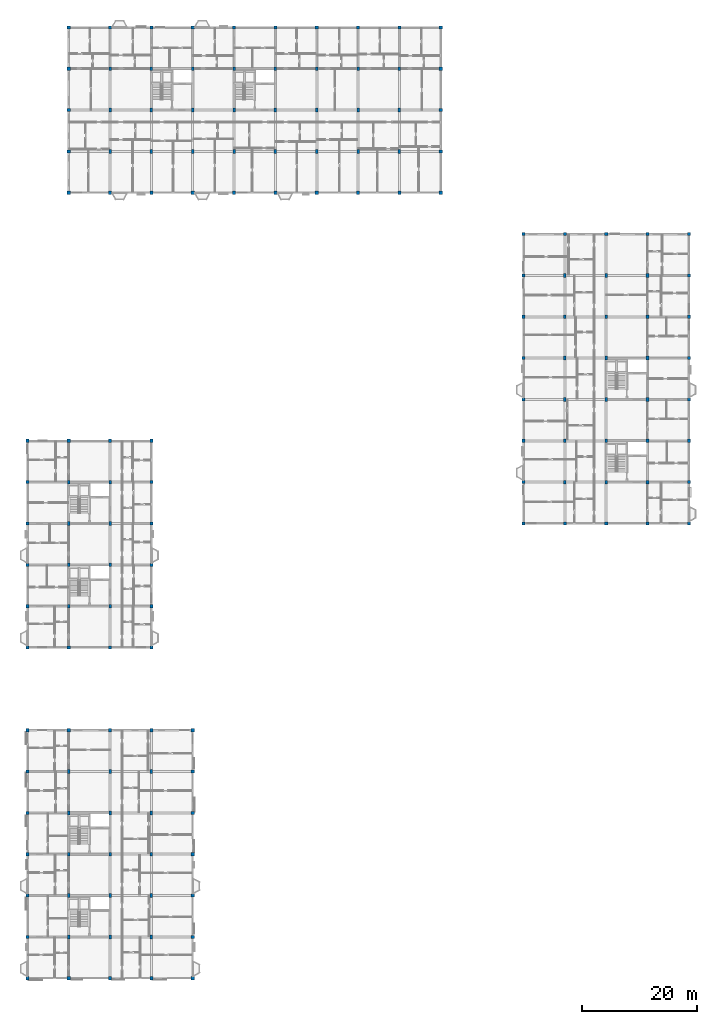
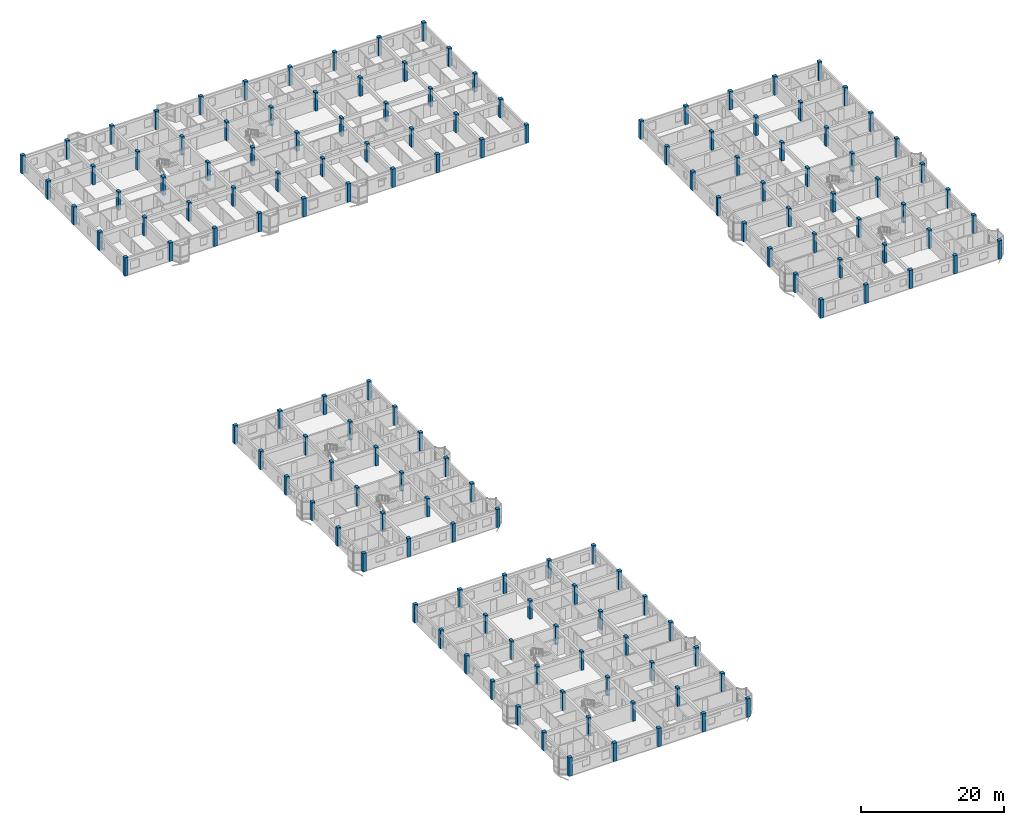
# One storey, part 1 of 77: 149 columns.
"""IFC4 building model written with IfcOpenShell, lengths in metres."""

import ifcopenshell
import ifcopenshell.guid

model = None  # the IFC model being written
_history = None  # IfcOwnerHistory: only IFC2X3 demands one
_inside = {}  # id of a spatial element -> (the spatial element, [elements in it])
_under = {}  # id of a project, library or spatial element -> (it, [spatial elements below it])
_declared = {}  # id of a project -> (the project, [libraries it declares])
_typed = {}  # id of a type object -> (the type object, [elements of that type])
_made_of = {}  # id of a material, layer set ... -> (it, [elements and type objects made of it])


def new_model(schema):
    """Start an empty IFC model of exactly this schema.

    Asked for "IFC4X3", IfcOpenShell would pick the latest addendum, in which some entities
    have other attributes; the version numbers below select the first issue.
    IFC2X3 requires an IfcOwnerHistory on every rooted entity: one is made here for all.
    """
    global model, _history
    if schema == "IFC4X3":
        model = ifcopenshell.file(schema_version=(4, 3, 0, 0))
    else:
        model = ifcopenshell.file(schema=schema)
    _inside.clear()
    _under.clear()
    _declared.clear()
    _typed.clear()
    _made_of.clear()
    _history = None
    if model.schema == "IFC2X3":
        org = make("IfcOrganization", Name="unknown")
        user = make(
            "IfcPersonAndOrganization",
            ThePerson=make("IfcPerson", FamilyName="unknown"),
            TheOrganization=org,
        )
        app = make(
            "IfcApplication",
            ApplicationDeveloper=org,
            Version="unknown",
            ApplicationFullName="unknown",
            ApplicationIdentifier="unknown",
        )
        _history = make(
            "IfcOwnerHistory",
            OwningUser=user,
            OwningApplication=app,
            ChangeAction="ADDED",
            CreationDate=0,
        )
    return model


def make(cls, **values):
    """One entity of the class cls with the attributes given. An attribute that is None is left unset."""
    return model.create_entity(
        cls, **{name: value for name, value in values.items() if value is not None}
    )


def rooted(cls, **values):
    """An entity with a GlobalId (a new one), such as an element, a storey or a relation."""
    return make(cls, GlobalId=ifcopenshell.guid.new(), OwnerHistory=_history, **values)


def si_unit(unit_type, name, prefix=None):
    """IfcSIUnit, for example si_unit("LENGTHUNIT", "METRE", prefix="MILLI")."""
    return make("IfcSIUnit", UnitType=unit_type, Prefix=prefix, Name=name)


def assignment(units):
    """IfcUnitAssignment: the units of a project."""
    return None if units is None else make("IfcUnitAssignment", Units=units)


def point(xyz):
    """IfcCartesianPoint."""
    return None if xyz is None else make("IfcCartesianPoint", Coordinates=xyz)


def direction(xyz):
    """IfcDirection."""
    return None if xyz is None else make("IfcDirection", DirectionRatios=xyz)


def frame(location, z_axis=None, x_axis=None):
    """IfcAxis2Placement3D, a coordinate frame: its origin and axes. An axis left out is left unset."""
    return make(
        "IfcAxis2Placement3D",
        Location=point(location),
        Axis=direction(z_axis),
        RefDirection=direction(x_axis),
    )


def frame_2d(location, x_axis=None):
    """IfcAxis2Placement2D, a coordinate frame in the plane: its origin and x axis."""
    return make(
        "IfcAxis2Placement2D", Location=point(location), RefDirection=direction(x_axis)
    )


def origin():
    """The frame at (0, 0, 0) with its axes left unset."""
    return frame((0.0, 0.0, 0.0))


def origin_2d():
    """The frame at (0, 0) in the plane with its x axis left unset."""
    return frame_2d((0.0, 0.0))


def place(relative_to, where):
    """IfcLocalPlacement: puts the frame where relative to a parent placement (None: the world)."""
    return make(
        "IfcLocalPlacement", PlacementRelTo=relative_to, RelativePlacement=where
    )


def context(
    kind, dimensions, precision=None, world=None, true_north=None, identifier=None
):
    """IfcGeometricRepresentationContext, for example the 3D "Model" context."""
    return make(
        "IfcGeometricRepresentationContext",
        ContextIdentifier=identifier,
        ContextType=kind,
        CoordinateSpaceDimension=dimensions,
        Precision=precision,
        WorldCoordinateSystem=world,
        TrueNorth=true_north,
    )


def subcontext(parent, identifier, kind, view, scale=None):
    """IfcGeometricRepresentationSubContext, for example "Body" below "Model"."""
    return make(
        "IfcGeometricRepresentationSubContext",
        ContextIdentifier=identifier,
        ContextType=kind,
        ParentContext=parent,
        TargetScale=scale,
        TargetView=view,
    )


def project(units=None, contexts=None):
    """IfcProject with its units and contexts."""
    return rooted(
        "IfcProject",
        Name="project",
        RepresentationContexts=contexts,
        UnitsInContext=assignment(units),
    )


def spatial(cls, under=None, at=None, **own):
    """A site, building, storey or space (cls), placed at a placement, below another one or the project."""
    s = rooted(cls, ObjectPlacement=at, **own)
    if under is not None:
        _under.setdefault(under.id(), (under, []))[1].append(s)
    return s


def profile(cls, at=None, kind="AREA", **sizes):
    """A parametric profile (cls). Its sizes go by their IFC names, for example OverallWidth=200.0."""
    return make(cls, ProfileType=kind, Position=at, **sizes)


def rectangle(**sizes):
    """IfcRectangleProfileDef."""
    return profile("IfcRectangleProfileDef", **sizes)


def extrude(swept, where, along, depth):
    """IfcExtrudedAreaSolid: the profile swept, set in the frame where, extruded along a direction by depth."""
    return make(
        "IfcExtrudedAreaSolid",
        SweptArea=swept,
        Position=where,
        ExtrudedDirection=direction(along),
        Depth=depth,
    )


def shape(context_of_items, identifier, shape_type, items):
    """IfcShapeRepresentation: the items that make up one representation, for example the "Body"."""
    return make(
        "IfcShapeRepresentation",
        ContextOfItems=context_of_items,
        RepresentationIdentifier=identifier,
        RepresentationType=shape_type,
        Items=items,
    )


def material(Name=None, Category=None):
    """IfcMaterial."""
    return make("IfcMaterial", Name=Name, Category=Category)


def material_profile(
    of_material, cross_section, Name=None, Category=None, Priority=None
):
    """IfcMaterialProfile: a cross section and its material."""
    return make(
        "IfcMaterialProfile",
        Name=Name,
        Material=of_material,
        Profile=cross_section,
        Priority=Priority,
        Category=Category,
    )


def profile_set(profiles, Name=None, composite=None):
    """IfcMaterialProfileSet."""
    return make(
        "IfcMaterialProfileSet",
        Name=Name,
        MaterialProfiles=profiles,
        CompositeProfile=composite,
    )


def made_of(thing, what):
    """Note that an element or type object is made of a material, layer set ...; save() writes the relation."""
    if what is not None:
        _made_of.setdefault(what.id(), (what, []))[1].append(thing)
    return thing


def type_object(cls, material=None, **own):
    """A type object (cls), such as IfcWallType, which elements share."""
    return made_of(rooted(cls, **own), material)


def element(
    cls,
    number,
    at=None,
    inside=None,
    cuts=None,
    type_object=None,
    material=None,
    context=None,
    identifier="Body",
    shape_type=None,
    held_by="IfcProductDefinitionShape",
    body=None,
    shapes=None,
    **own,
):
    """One element of the class cls, such as IfcWall. Its Tag is "e" and its number.

    at: its placement. inside: the storey or other place that contains it. cuts: it is an
    opening in that element (IfcRelVoidsElement). A single representation is given by context,
    identifier, shape_type and body (its items); several are given by shapes. held_by: the class
    of the entity that holds the representations. save() writes the other relations.
    """
    e = rooted(cls, Tag="e%d" % number, ObjectPlacement=at, **own)
    if body is not None:
        shapes = [shape(context, identifier, shape_type, body)]
    if shapes is not None:
        e.Representation = make(held_by, Representations=shapes)
    if inside is not None:
        _inside.setdefault(inside.id(), (inside, []))[1].append(e)
    if cuts is not None:
        rooted(
            "IfcRelVoidsElement", RelatingBuildingElement=cuts, RelatedOpeningElement=e
        )
    if type_object is not None:
        _typed.setdefault(type_object.id(), (type_object, []))[1].append(e)
    return made_of(e, material)


def aggregate(whole, parts):
    """IfcRelAggregates: a whole, such as a stair, and the parts it consists of."""
    return rooted("IfcRelAggregates", RelatingObject=whole, RelatedObjects=parts)


def save(model, path):
    """Write the relations noted so far, then the file.

    IfcRelAggregates (storeys below a building ...), IfcRelContainedInSpatialStructure (elements
    in a storey), IfcRelDefinesByType, IfcRelAssociatesMaterial and IfcRelDeclares: one each for
    every whole, place, type object, material and project.
    """
    for whole, parts in _under.values():
        aggregate(whole, parts)
    for where, things in _inside.values():
        rooted(
            "IfcRelContainedInSpatialStructure",
            RelatedElements=things,
            RelatingStructure=where,
        )
    for kind, things in _typed.values():
        rooted("IfcRelDefinesByType", RelatedObjects=things, RelatingType=kind)
    for what, things in _made_of.values():
        rooted("IfcRelAssociatesMaterial", RelatedObjects=things, RelatingMaterial=what)
    for by, libraries in _declared.values():
        rooted("IfcRelDeclares", RelatingContext=by, RelatedDefinitions=libraries)
    model.write(path)


model = new_model("IFC4")

# Units and contexts
model_context = context("Model", 3, precision=1e-05, world=origin(), true_north=direction((0.0, 1.0)))
body_context = subcontext(model_context, "Body", "Model", "MODEL_VIEW")
ifc_project = project(units=[si_unit("LENGTHUNIT", "METRE"), si_unit("AREAUNIT", "SQUARE_METRE"), si_unit("VOLUMEUNIT", "CUBIC_METRE"), si_unit("PLANEANGLEUNIT", "RADIAN"), si_unit("MASSUNIT", "GRAM", prefix="KILO"), si_unit("THERMODYNAMICTEMPERATUREUNIT", "KELVIN"), si_unit("POWERUNIT", "WATT")], contexts=[model_context])

# Site, building, storey
site_placement = place(None, origin())
site = spatial("IfcSite", under=ifc_project, at=site_placement, CompositionType="ELEMENT")
building_placement = place(site_placement, origin())
building = spatial("IfcBuilding", under=site, at=building_placement, Name="Tavuni Mirador Residences", CompositionType="ELEMENT")
storey_placement = place(building_placement, frame((0.0, 0.0, 10.800048828125)))
storey = spatial("IfcBuildingStorey", under=building, at=storey_placement, Name="L03", CompositionType="ELEMENT", Elevation=10.800048828125)

# Columns
ifc_material = material(Name="Precast concrete C40/50", Category="concrete")
ifc_material_profile_1 = material_profile(ifc_material, rectangle(XDim=0.449951171875, YDim=0.64990234375, at=origin_2d()), Name="RC 450x650", Category="concrete")
ifc_profile_set_1 = profile_set([ifc_material_profile_1], Name="Precast concrete C40/50")
column_type_1 = type_object("IfcColumnType", Name="CT-RC450X650", PredefinedType="COLUMN", material=ifc_profile_set_1)
for number, where, z_axis, x_axis, name in (
    (1, (10.800048828125, 14.39990234375, 0.0), (0.0, 0.0, 1.0), (1.0, 0.0, 0.0), "COL-BLK-A-L03-01-01"),
    (2, (10.800048828125, 21.60009765625, 0.0), (0.0, 0.0, 1.0), (1.0, 0.0, 0.0), "COL-BLK-A-L03-01-02"),
    (3, (10.800048828125, 28.800048828125, 0.0), (0.0, 0.0, 1.0), (1.0, 0.0, 0.0), "COL-BLK-A-L03-01-03"),
    (4, (10.800048828125, 36.0, 0.0), (0.0, 0.0, 1.0), (1.0, 0.0, 0.0), "COL-BLK-A-L03-01-04"),
    (5, (10.800048828125, 43.199951171875, 0.0), (0.0, 0.0, 1.0), (1.0, 0.0, 0.0), "COL-BLK-A-L03-01-05"),
    (6, (18.0, 14.39990234375, 0.0), (0.0, 0.0, 1.0), (1.0, 0.0, 0.0), "COL-BLK-A-L03-02-01"),
    (7, (18.0, 21.60009765625, 0.0), (0.0, 0.0, 1.0), (1.0, 0.0, 0.0), "COL-BLK-A-L03-02-02"),
    (8, (18.0, 28.800048828125, 0.0), (0.0, 0.0, 1.0), (1.0, 0.0, 0.0), "COL-BLK-A-L03-02-03"),
    (9, (18.0, 36.0, 0.0), (0.0, 0.0, 1.0), (1.0, 0.0, 0.0), "COL-BLK-A-L03-02-04"),
    (10, (18.0, 43.199951171875, 0.0), (0.0, 0.0, 1.0), (1.0, 0.0, 0.0), "COL-BLK-A-L03-02-05"),
    (11, (25.199951171875, 14.39990234375, 0.0), (0.0, 0.0, 1.0), (1.0, 0.0, 0.0), "COL-BLK-A-L03-03-01"),
    (12, (25.199951171875, 21.60009765625, 0.0), (0.0, 0.0, 1.0), (1.0, 0.0, 0.0), "COL-BLK-A-L03-03-02"),
    (13, (25.199951171875, 28.800048828125, 0.0), (0.0, 0.0, 1.0), (1.0, 0.0, 0.0), "COL-BLK-A-L03-03-03"),
    (14, (25.199951171875, 36.0, 0.0), (0.0, 0.0, 1.0), (1.0, 0.0, 0.0), "COL-BLK-A-L03-03-04"),
    (15, (25.199951171875, 43.199951171875, 0.0), (0.0, 0.0, 1.0), (1.0, 0.0, 0.0), "COL-BLK-A-L03-03-05"),
    (16, (10.800048828125, 72.0, 0.0), (0.0, 0.0, 1.0), (1.0, 0.0, 0.0), "COL-BLK-B-L03-01-01"),
    (17, (10.800048828125, 79.199951171875, 0.0), (0.0, 0.0, 1.0), (1.0, 0.0, 0.0), "COL-BLK-B-L03-01-02"),
    (18, (10.800048828125, 86.39990234375, 0.0), (0.0, 0.0, 1.0), (1.0, 0.0, 0.0), "COL-BLK-B-L03-01-03"),
    (19, (10.800048828125, 93.60009765625, 0.0), (0.0, 0.0, 1.0), (1.0, 0.0, 0.0), "COL-BLK-B-L03-01-04"),
    (20, (18.0, 72.0, 0.0), (0.0, 0.0, 1.0), (1.0, 0.0, 0.0), "COL-BLK-B-L03-02-01"),
    (21, (18.0, 79.199951171875, 0.0), (0.0, 0.0, 1.0), (1.0, 0.0, 0.0), "COL-BLK-B-L03-02-02"),
    (22, (18.0, 86.39990234375, 0.0), (0.0, 0.0, 1.0), (1.0, 0.0, 0.0), "COL-BLK-B-L03-02-03"),
    (23, (18.0, 93.60009765625, 0.0), (0.0, 0.0, 1.0), (1.0, 0.0, 0.0), "COL-BLK-B-L03-02-04"),
    (24, (18.0, 151.199951171875, 0.0), (0.0, 0.0, 1.0), (1.0, 0.0, 0.0), "COL-BLK-C-L03-01-01"),
    (25, (18.0, 158.39990234375, 0.0), (0.0, 0.0, 1.0), (1.0, 0.0, 0.0), "COL-BLK-C-L03-01-02"),
    (26, (18.0, 165.60009765625, 0.0), (0.0, 0.0, 1.0), (1.0, 0.0, 0.0), "COL-BLK-C-L03-01-03"),
    (27, (25.199951171875, 151.199951171875, 0.0), (0.0, 0.0, 1.0), (1.0, 0.0, 0.0), "COL-BLK-C-L03-02-01"),
    (28, (25.199951171875, 158.39990234375, 0.0), (0.0, 0.0, 1.0), (1.0, 0.0, 0.0), "COL-BLK-C-L03-02-02"),
    (29, (25.199951171875, 165.60009765625, 0.0), (0.0, 0.0, 1.0), (1.0, 0.0, 0.0), "COL-BLK-C-L03-02-03"),
    (30, (32.39990234375, 151.199951171875, 0.0), (0.0, 0.0, 1.0), (1.0, 0.0, 0.0), "COL-BLK-C-L03-03-01"),
    (31, (32.39990234375, 158.39990234375, 0.0), (0.0, 0.0, 1.0), (1.0, 0.0, 0.0), "COL-BLK-C-L03-03-02"),
    (32, (32.39990234375, 165.60009765625, 0.0), (0.0, 0.0, 1.0), (1.0, 0.0, 0.0), "COL-BLK-C-L03-03-03"),
    (33, (39.60009765625, 151.199951171875, 0.0), (0.0, 0.0, 1.0), (1.0, 0.0, 0.0), "COL-BLK-C-L03-04-01"),
    (34, (39.60009765625, 158.39990234375, 0.0), (0.0, 0.0, 1.0), (1.0, 0.0, 0.0), "COL-BLK-C-L03-04-02"),
    (35, (39.60009765625, 165.60009765625, 0.0), (0.0, 0.0, 1.0), (1.0, 0.0, 0.0), "COL-BLK-C-L03-04-03"),
    (36, (46.800048828125, 151.199951171875, 0.0), (0.0, 0.0, 1.0), (1.0, 0.0, 0.0), "COL-BLK-C-L03-05-01"),
    (37, (46.800048828125, 158.39990234375, 0.0), (0.0, 0.0, 1.0), (1.0, 0.0, 0.0), "COL-BLK-C-L03-05-02"),
    (38, (46.800048828125, 165.60009765625, 0.0), (0.0, 0.0, 1.0), (1.0, 0.0, 0.0), "COL-BLK-C-L03-05-03"),
    (39, (54.0, 151.199951171875, 0.0), (0.0, 0.0, 1.0), (1.0, 0.0, 0.0), "COL-BLK-C-L03-06-01"),
    (40, (54.0, 158.39990234375, 0.0), (0.0, 0.0, 1.0), (1.0, 0.0, 0.0), "COL-BLK-C-L03-06-02"),
    (41, (54.0, 165.60009765625, 0.0), (0.0, 0.0, 1.0), (1.0, 0.0, 0.0), "COL-BLK-C-L03-06-03"),
    (42, (61.199951171875, 151.199951171875, 0.0), (0.0, 0.0, 1.0), (1.0, 0.0, 0.0), "COL-BLK-C-L03-07-01"),
    (43, (61.199951171875, 158.39990234375, 0.0), (0.0, 0.0, 1.0), (1.0, 0.0, 0.0), "COL-BLK-C-L03-07-02"),
    (44, (61.199951171875, 165.60009765625, 0.0), (0.0, 0.0, 1.0), (1.0, 0.0, 0.0), "COL-BLK-C-L03-07-03"),
    (45, (68.39990234375, 151.199951171875, 0.0), (0.0, 0.0, 1.0), (1.0, 0.0, 0.0), "COL-BLK-C-L03-08-01"),
    (46, (68.39990234375, 158.39990234375, 0.0), (0.0, 0.0, 1.0), (1.0, 0.0, 0.0), "COL-BLK-C-L03-08-02"),
    (47, (68.39990234375, 165.60009765625, 0.0), (0.0, 0.0, 1.0), (1.0, 0.0, 0.0), "COL-BLK-C-L03-08-03"),
    (48, (97.199951171875, 93.60009765625, 0.0), (0.0, 0.0, 1.0), (1.0, 0.0, 0.0), "COL-BLK-D-L03-01-01"),
    (49, (97.199951171875, 100.800048828125, 0.0), (0.0, 0.0, 1.0), (1.0, 0.0, 0.0), "COL-BLK-D-L03-01-02"),
    (50, (97.199951171875, 108.0, 0.0), (0.0, 0.0, 1.0), (1.0, 0.0, 0.0), "COL-BLK-D-L03-01-03"),
    (51, (97.199951171875, 115.199951171875, 0.0), (0.0, 0.0, 1.0), (1.0, 0.0, 0.0), "COL-BLK-D-L03-01-04"),
    (52, (97.199951171875, 122.39990234375, 0.0), (0.0, 0.0, 1.0), (1.0, 0.0, 0.0), "COL-BLK-D-L03-01-05"),
    (53, (97.199951171875, 129.60009765625, 0.0), (0.0, 0.0, 1.0), (1.0, 0.0, 0.0), "COL-BLK-D-L03-01-06"),
    (54, (104.39990234375, 93.60009765625, 0.0), (0.0, 0.0, 1.0), (1.0, 0.0, 0.0), "COL-BLK-D-L03-02-01"),
    (55, (104.39990234375, 100.800048828125, 0.0), (0.0, 0.0, 1.0), (1.0, 0.0, 0.0), "COL-BLK-D-L03-02-02"),
    (56, (104.39990234375, 108.0, 0.0), (0.0, 0.0, 1.0), (1.0, 0.0, 0.0), "COL-BLK-D-L03-02-03"),
    (57, (104.39990234375, 115.199951171875, 0.0), (0.0, 0.0, 1.0), (1.0, 0.0, 0.0), "COL-BLK-D-L03-02-04"),
    (58, (104.39990234375, 122.39990234375, 0.0), (0.0, 0.0, 1.0), (1.0, 0.0, 0.0), "COL-BLK-D-L03-02-05"),
    (59, (104.39990234375, 129.60009765625, 0.0), (0.0, 0.0, 1.0), (1.0, 0.0, 0.0), "COL-BLK-D-L03-02-06"),
    (60, (111.60009765625, 93.60009765625, 0.0), (0.0, 0.0, 1.0), (1.0, 0.0, 0.0), "COL-BLK-D-L03-03-01"),
    (61, (111.60009765625, 100.800048828125, 0.0), (0.0, 0.0, 1.0), (1.0, 0.0, 0.0), "COL-BLK-D-L03-03-02"),
    (62, (111.60009765625, 108.0, 0.0), (0.0, 0.0, 1.0), (1.0, 0.0, 0.0), "COL-BLK-D-L03-03-03"),
    (63, (111.60009765625, 115.199951171875, 0.0), (0.0, 0.0, 1.0), (1.0, 0.0, 0.0), "COL-BLK-D-L03-03-04"),
    (64, (111.60009765625, 122.39990234375, 0.0), (0.0, 0.0, 1.0), (1.0, 0.0, 0.0), "COL-BLK-D-L03-03-05"),
    (65, (111.60009765625, 129.60009765625, 0.0), (0.0, 0.0, 1.0), (1.0, 0.0, 0.0), "COL-BLK-D-L03-03-06"),
):
    element("IfcColumn", number, at=place(storey_placement, frame(where, z_axis=z_axis, x_axis=x_axis)), inside=storey, type_object=column_type_1, Name=name, PredefinedType="COLUMN", context=body_context, shape_type="SweptSolid", body=[
        extrude(rectangle(XDim=0.449951171875, YDim=0.64990234375, at=origin_2d()), origin(), (0.0, 0.0, 1.0), 3.14990234375),
    ])
ifc_material_profile_2 = material_profile(ifc_material, rectangle(XDim=0.550048828125, YDim=0.550048828125, at=origin_2d()), Name="RC 550x550", Category="concrete")
ifc_profile_set_2 = profile_set([ifc_material_profile_2], Name="Precast concrete C40/50")
column_type_2 = type_object("IfcColumnType", Name="CT-RC550", PredefinedType="COLUMN", material=ifc_profile_set_2)
for number, where, z_axis, x_axis, name in (
    (66, (3.60009765625, 7.199951171875, 0.0), (0.0, 0.0, 1.0), (1.0, 0.0, 0.0), "COL-BLK-A-L03-00-00"),
    (67, (3.60009765625, 14.39990234375, 0.0), (0.0, 0.0, 1.0), (1.0, 0.0, 0.0), "COL-BLK-A-L03-00-01"),
    (68, (3.60009765625, 21.60009765625, 0.0), (0.0, 0.0, 1.0), (1.0, 0.0, 0.0), "COL-BLK-A-L03-00-02"),
    (69, (3.60009765625, 28.800048828125, 0.0), (0.0, 0.0, 1.0), (1.0, 0.0, 0.0), "COL-BLK-A-L03-00-03"),
    (70, (3.60009765625, 36.0, 0.0), (0.0, 0.0, 1.0), (1.0, 0.0, 0.0), "COL-BLK-A-L03-00-04"),
    (71, (3.60009765625, 43.199951171875, 0.0), (0.0, 0.0, 1.0), (1.0, 0.0, 0.0), "COL-BLK-A-L03-00-05"),
    (72, (3.60009765625, 50.39990234375, 0.0), (0.0, 0.0, 1.0), (1.0, 0.0, 0.0), "COL-BLK-A-L03-00-06"),
    (73, (10.800048828125, 7.199951171875, 0.0), (0.0, 0.0, 1.0), (1.0, 0.0, 0.0), "COL-BLK-A-L03-01-00"),
    (74, (10.800048828125, 50.39990234375, 0.0), (0.0, 0.0, 1.0), (1.0, 0.0, 0.0), "COL-BLK-A-L03-01-06"),
    (75, (18.0, 7.199951171875, 0.0), (0.0, 0.0, 1.0), (1.0, 0.0, 0.0), "COL-BLK-A-L03-02-00"),
    (76, (18.0, 50.39990234375, 0.0), (0.0, 0.0, 1.0), (1.0, 0.0, 0.0), "COL-BLK-A-L03-02-06"),
    (77, (25.199951171875, 7.199951171875, 0.0), (0.0, 0.0, 1.0), (1.0, 0.0, 0.0), "COL-BLK-A-L03-03-00"),
    (78, (25.199951171875, 50.39990234375, 0.0), (0.0, 0.0, 1.0), (1.0, 0.0, 0.0), "COL-BLK-A-L03-03-06"),
    (79, (32.39990234375, 7.199951171875, 0.0), (0.0, 0.0, 1.0), (1.0, 0.0, 0.0), "COL-BLK-A-L03-04-00"),
    (80, (32.39990234375, 14.39990234375, 0.0), (0.0, 0.0, 1.0), (1.0, 0.0, 0.0), "COL-BLK-A-L03-04-01"),
    (81, (32.39990234375, 21.60009765625, 0.0), (0.0, 0.0, 1.0), (1.0, 0.0, 0.0), "COL-BLK-A-L03-04-02"),
    (82, (32.39990234375, 28.800048828125, 0.0), (0.0, 0.0, 1.0), (1.0, 0.0, 0.0), "COL-BLK-A-L03-04-03"),
    (83, (32.39990234375, 36.0, 0.0), (0.0, 0.0, 1.0), (1.0, 0.0, 0.0), "COL-BLK-A-L03-04-04"),
    (84, (32.39990234375, 43.199951171875, 0.0), (0.0, 0.0, 1.0), (1.0, 0.0, 0.0), "COL-BLK-A-L03-04-05"),
    (85, (32.39990234375, 50.39990234375, 0.0), (0.0, 0.0, 1.0), (1.0, 0.0, 0.0), "COL-BLK-A-L03-04-06"),
    (86, (3.60009765625, 64.800048828125, 0.0), (0.0, 0.0, 1.0), (1.0, 0.0, 0.0), "COL-BLK-B-L03-00-00"),
    (87, (3.60009765625, 72.0, 0.0), (0.0, 0.0, 1.0), (1.0, 0.0, 0.0), "COL-BLK-B-L03-00-01"),
    (88, (3.60009765625, 79.199951171875, 0.0), (0.0, 0.0, 1.0), (1.0, 0.0, 0.0), "COL-BLK-B-L03-00-02"),
    (89, (3.60009765625, 86.39990234375, 0.0), (0.0, 0.0, 1.0), (1.0, 0.0, 0.0), "COL-BLK-B-L03-00-03"),
    (90, (3.60009765625, 93.60009765625, 0.0), (0.0, 0.0, 1.0), (1.0, 0.0, 0.0), "COL-BLK-B-L03-00-04"),
    (91, (3.60009765625, 100.800048828125, 0.0), (0.0, 0.0, 1.0), (1.0, 0.0, 0.0), "COL-BLK-B-L03-00-05"),
    (92, (10.800048828125, 64.800048828125, 0.0), (0.0, 0.0, 1.0), (1.0, 0.0, 0.0), "COL-BLK-B-L03-01-00"),
    (93, (10.800048828125, 100.800048828125, 0.0), (0.0, 0.0, 1.0), (1.0, 0.0, 0.0), "COL-BLK-B-L03-01-05"),
    (94, (18.0, 64.800048828125, 0.0), (0.0, 0.0, 1.0), (1.0, 0.0, 0.0), "COL-BLK-B-L03-02-00"),
    (95, (18.0, 100.800048828125, 0.0), (0.0, 0.0, 1.0), (1.0, 0.0, 0.0), "COL-BLK-B-L03-02-05"),
    (96, (25.199951171875, 64.800048828125, 0.0), (0.0, 0.0, 1.0), (1.0, 0.0, 0.0), "COL-BLK-B-L03-03-00"),
    (97, (25.199951171875, 72.0, 0.0), (0.0, 0.0, 1.0), (1.0, 0.0, 0.0), "COL-BLK-B-L03-03-01"),
    (98, (25.199951171875, 79.199951171875, 0.0), (0.0, 0.0, 1.0), (1.0, 0.0, 0.0), "COL-BLK-B-L03-03-02"),
    (99, (25.199951171875, 86.39990234375, 0.0), (0.0, 0.0, 1.0), (1.0, 0.0, 0.0), "COL-BLK-B-L03-03-03"),
    (100, (25.199951171875, 93.60009765625, 0.0), (0.0, 0.0, 1.0), (1.0, 0.0, 0.0), "COL-BLK-B-L03-03-04"),
    (101, (25.199951171875, 100.800048828125, 0.0), (0.0, 0.0, 1.0), (1.0, 0.0, 0.0), "COL-BLK-B-L03-03-05"),
    (102, (10.800048828125, 144.0, 0.0), (0.0, 0.0, 1.0), (1.0, 0.0, 0.0), "COL-BLK-C-L03-00-00"),
    (103, (10.800048828125, 151.199951171875, 0.0), (0.0, 0.0, 1.0), (1.0, 0.0, 0.0), "COL-BLK-C-L03-00-01"),
    (104, (10.800048828125, 158.39990234375, 0.0), (0.0, 0.0, 1.0), (1.0, 0.0, 0.0), "COL-BLK-C-L03-00-02"),
    (105, (10.800048828125, 165.60009765625, 0.0), (0.0, 0.0, 1.0), (1.0, 0.0, 0.0), "COL-BLK-C-L03-00-03"),
    (106, (10.800048828125, 172.800048828125, 0.0), (0.0, 0.0, 1.0), (1.0, 0.0, 0.0), "COL-BLK-C-L03-00-04"),
    (107, (18.0, 144.0, 0.0), (0.0, 0.0, 1.0), (1.0, 0.0, 0.0), "COL-BLK-C-L03-01-00"),
    (108, (18.0, 172.800048828125, 0.0), (0.0, 0.0, 1.0), (1.0, 0.0, 0.0), "COL-BLK-C-L03-01-04"),
    (109, (25.199951171875, 144.0, 0.0), (0.0, 0.0, 1.0), (1.0, 0.0, 0.0), "COL-BLK-C-L03-02-00"),
    (110, (25.199951171875, 172.800048828125, 0.0), (0.0, 0.0, 1.0), (1.0, 0.0, 0.0), "COL-BLK-C-L03-02-04"),
    (111, (32.39990234375, 144.0, 0.0), (0.0, 0.0, 1.0), (1.0, 0.0, 0.0), "COL-BLK-C-L03-03-00"),
    (112, (32.39990234375, 172.800048828125, 0.0), (0.0, 0.0, 1.0), (1.0, 0.0, 0.0), "COL-BLK-C-L03-03-04"),
    (113, (39.60009765625, 144.0, 0.0), (0.0, 0.0, 1.0), (1.0, 0.0, 0.0), "COL-BLK-C-L03-04-00"),
    (114, (39.60009765625, 172.800048828125, 0.0), (0.0, 0.0, 1.0), (1.0, 0.0, 0.0), "COL-BLK-C-L03-04-04"),
    (115, (46.800048828125, 144.0, 0.0), (0.0, 0.0, 1.0), (1.0, 0.0, 0.0), "COL-BLK-C-L03-05-00"),
    (116, (46.800048828125, 172.800048828125, 0.0), (0.0, 0.0, 1.0), (1.0, 0.0, 0.0), "COL-BLK-C-L03-05-04"),
    (117, (54.0, 144.0, 0.0), (0.0, 0.0, 1.0), (1.0, 0.0, 0.0), "COL-BLK-C-L03-06-00"),
    (118, (54.0, 172.800048828125, 0.0), (0.0, 0.0, 1.0), (1.0, 0.0, 0.0), "COL-BLK-C-L03-06-04"),
    (119, (61.199951171875, 144.0, 0.0), (0.0, 0.0, 1.0), (1.0, 0.0, 0.0), "COL-BLK-C-L03-07-00"),
    (120, (61.199951171875, 172.800048828125, 0.0), (0.0, 0.0, 1.0), (1.0, 0.0, 0.0), "COL-BLK-C-L03-07-04"),
    (121, (68.39990234375, 144.0, 0.0), (0.0, 0.0, 1.0), (1.0, 0.0, 0.0), "COL-BLK-C-L03-08-00"),
    (122, (68.39990234375, 172.800048828125, 0.0), (0.0, 0.0, 1.0), (1.0, 0.0, 0.0), "COL-BLK-C-L03-08-04"),
    (123, (75.60009765625, 144.0, 0.0), (0.0, 0.0, 1.0), (1.0, 0.0, 0.0), "COL-BLK-C-L03-09-00"),
    (124, (75.60009765625, 151.199951171875, 0.0), (0.0, 0.0, 1.0), (1.0, 0.0, 0.0), "COL-BLK-C-L03-09-01"),
    (125, (75.60009765625, 158.39990234375, 0.0), (0.0, 0.0, 1.0), (1.0, 0.0, 0.0), "COL-BLK-C-L03-09-02"),
    (126, (75.60009765625, 165.60009765625, 0.0), (0.0, 0.0, 1.0), (1.0, 0.0, 0.0), "COL-BLK-C-L03-09-03"),
    (127, (75.60009765625, 172.800048828125, 0.0), (0.0, 0.0, 1.0), (1.0, 0.0, 0.0), "COL-BLK-C-L03-09-04"),
    (128, (90.0, 86.39990234375, 0.0), (0.0, 0.0, 1.0), (1.0, 0.0, 0.0), "COL-BLK-D-L03-00-00"),
    (129, (90.0, 93.60009765625, 0.0), (0.0, 0.0, 1.0), (1.0, 0.0, 0.0), "COL-BLK-D-L03-00-01"),
    (130, (90.0, 100.800048828125, 0.0), (0.0, 0.0, 1.0), (1.0, 0.0, 0.0), "COL-BLK-D-L03-00-02"),
    (131, (90.0, 108.0, 0.0), (0.0, 0.0, 1.0), (1.0, 0.0, 0.0), "COL-BLK-D-L03-00-03"),
    (132, (90.0, 115.199951171875, 0.0), (0.0, 0.0, 1.0), (1.0, 0.0, 0.0), "COL-BLK-D-L03-00-04"),
    (133, (90.0, 122.39990234375, 0.0), (0.0, 0.0, 1.0), (1.0, 0.0, 0.0), "COL-BLK-D-L03-00-05"),
    (134, (90.0, 129.60009765625, 0.0), (0.0, 0.0, 1.0), (1.0, 0.0, 0.0), "COL-BLK-D-L03-00-06"),
    (135, (90.0, 136.800048828125, 0.0), (0.0, 0.0, 1.0), (1.0, 0.0, 0.0), "COL-BLK-D-L03-00-07"),
    (136, (97.199951171875, 86.39990234375, 0.0), (0.0, 0.0, 1.0), (1.0, 0.0, 0.0), "COL-BLK-D-L03-01-00"),
    (137, (97.199951171875, 136.800048828125, 0.0), (0.0, 0.0, 1.0), (1.0, 0.0, 0.0), "COL-BLK-D-L03-01-07"),
    (138, (104.39990234375, 86.39990234375, 0.0), (0.0, 0.0, 1.0), (1.0, 0.0, 0.0), "COL-BLK-D-L03-02-00"),
    (139, (104.39990234375, 136.800048828125, 0.0), (0.0, 0.0, 1.0), (1.0, 0.0, 0.0), "COL-BLK-D-L03-02-07"),
    (140, (111.60009765625, 86.39990234375, 0.0), (0.0, 0.0, 1.0), (1.0, 0.0, 0.0), "COL-BLK-D-L03-03-00"),
    (141, (111.60009765625, 136.800048828125, 0.0), (0.0, 0.0, 1.0), (1.0, 0.0, 0.0), "COL-BLK-D-L03-03-07"),
    (142, (118.800048828125, 86.39990234375, 0.0), (0.0, 0.0, 1.0), (1.0, 0.0, 0.0), "COL-BLK-D-L03-04-00"),
    (143, (118.800048828125, 93.60009765625, 0.0), (0.0, 0.0, 1.0), (1.0, 0.0, 0.0), "COL-BLK-D-L03-04-01"),
    (144, (118.800048828125, 100.800048828125, 0.0), (0.0, 0.0, 1.0), (1.0, 0.0, 0.0), "COL-BLK-D-L03-04-02"),
    (145, (118.800048828125, 108.0, 0.0), (0.0, 0.0, 1.0), (1.0, 0.0, 0.0), "COL-BLK-D-L03-04-03"),
    (146, (118.800048828125, 115.199951171875, 0.0), (0.0, 0.0, 1.0), (1.0, 0.0, 0.0), "COL-BLK-D-L03-04-04"),
    (147, (118.800048828125, 122.39990234375, 0.0), (0.0, 0.0, 1.0), (1.0, 0.0, 0.0), "COL-BLK-D-L03-04-05"),
    (148, (118.800048828125, 129.60009765625, 0.0), (0.0, 0.0, 1.0), (1.0, 0.0, 0.0), "COL-BLK-D-L03-04-06"),
    (149, (118.800048828125, 136.800048828125, 0.0), (0.0, 0.0, 1.0), (1.0, 0.0, 0.0), "COL-BLK-D-L03-04-07"),
):
    element("IfcColumn", number, at=place(storey_placement, frame(where, z_axis=z_axis, x_axis=x_axis)), inside=storey, type_object=column_type_2, Name=name, PredefinedType="COLUMN", context=body_context, shape_type="SweptSolid", body=[
        extrude(rectangle(XDim=0.550048828125, YDim=0.550048828125, at=origin_2d()), origin(), (0.0, 0.0, 1.0), 3.14990234375),
    ])

save(model, "model.ifc")
